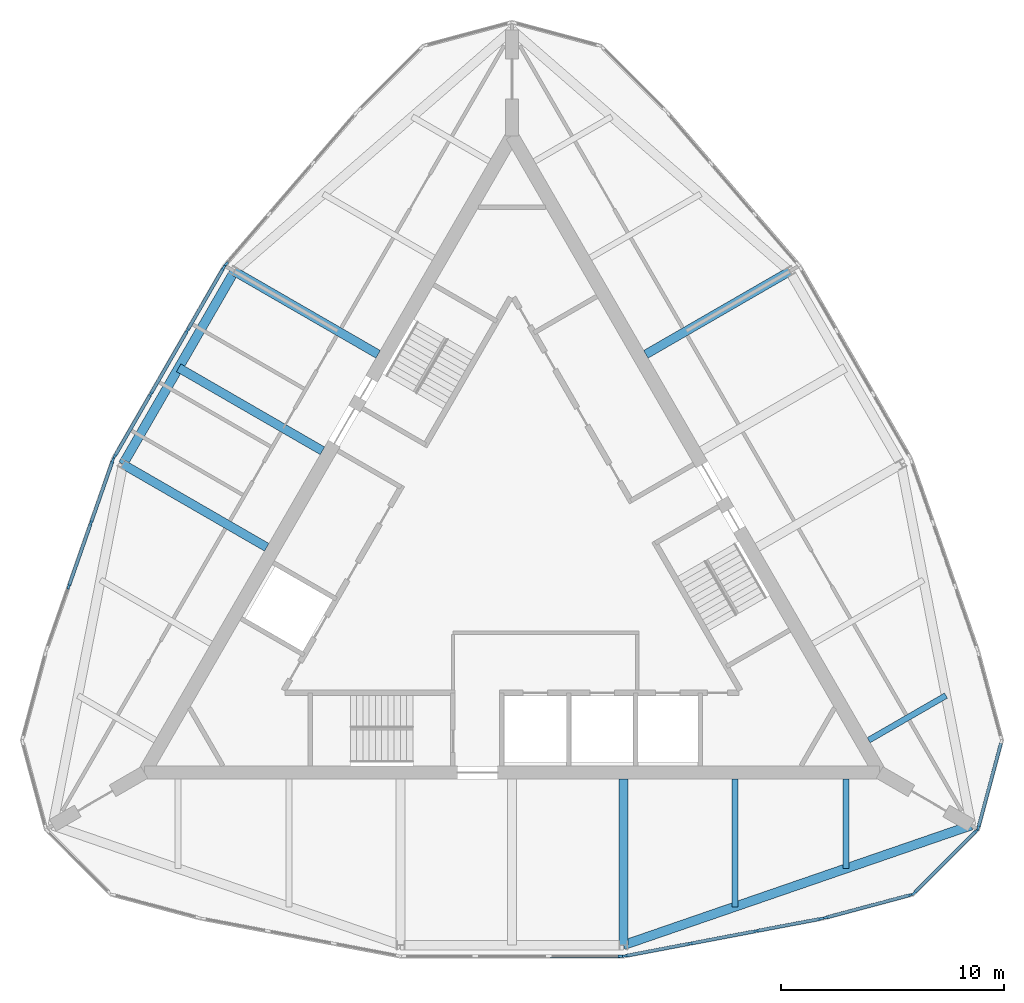
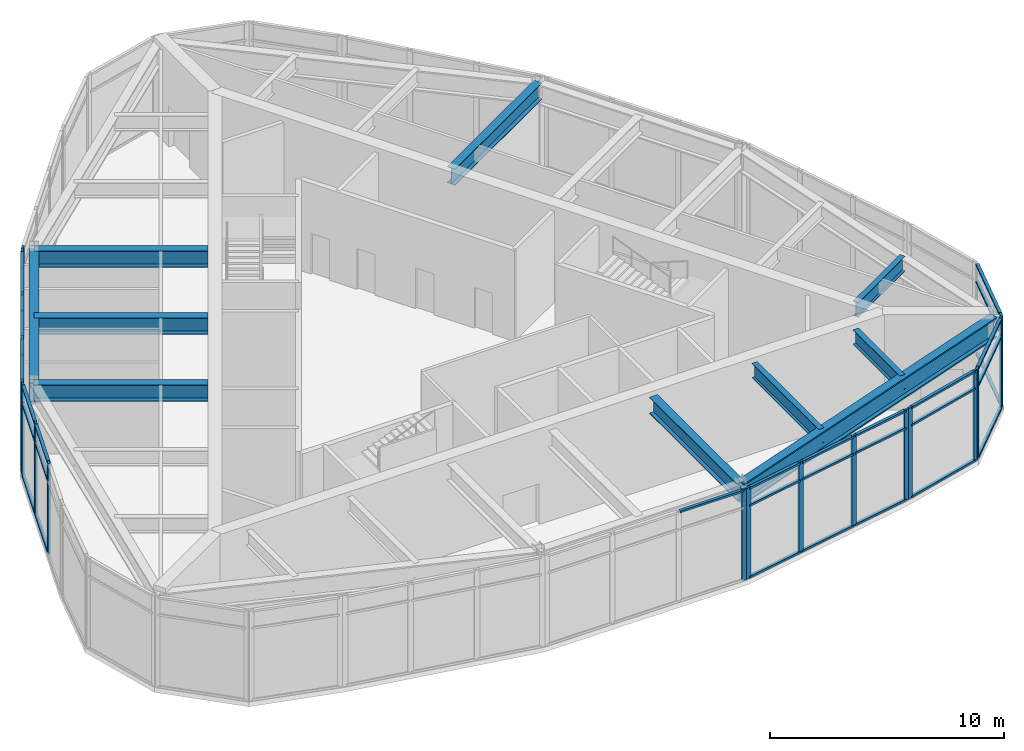
# One storey, part 2 of 9: 52 members, 10 beams, 8 elements without a shape of their own.
"""IFC4 building model written with IfcOpenShell, lengths in metres."""

from ifc_helpers import new_model, si_unit, direction, frame, origin, origin_2d, place, context, subcontext, project, spatial, rectangle, i_section, extrude, material, material_profile, profile_set, type_object, element, aggregate, save


model = new_model("IFC4")

# Units and contexts
model_context = context("Model", 3, precision=1e-05, world=origin(), true_north=direction((0.0, 1.0)))
body_context = subcontext(model_context, "Body", "Model", "MODEL_VIEW")
ifc_project = project(units=[si_unit("LENGTHUNIT", "METRE"), si_unit("AREAUNIT", "SQUARE_METRE"), si_unit("VOLUMEUNIT", "CUBIC_METRE"), si_unit("PLANEANGLEUNIT", "RADIAN"), si_unit("MASSUNIT", "GRAM", prefix="KILO")], contexts=[model_context])

# Site, building, storey
site_placement = place(None, origin())
site = spatial("IfcSite", under=ifc_project, at=site_placement, CompositionType="ELEMENT")
building_placement = place(site_placement, origin())
building = spatial("IfcBuilding", under=site, at=building_placement, Name="Trikona Tower", CompositionType="ELEMENT")
storey_placement = place(building_placement, frame((0.0, 0.0, 292.800048828125)))
storey = spatial("IfcBuildingStorey", under=building, at=storey_placement, Name="L76", CompositionType="ELEMENT", Elevation=292.800048828125)

# Curtain wall, member
ifc_material_1 = material(Name="Aluminium curtain wall system", Category="aluminium")
curtain_wall_type = type_object("IfcCurtainWallType", Name="Curtain wall OB", PredefinedType="NOTDEFINED", material=ifc_material_1)
curtain_wall_1_placement = place(storey_placement, origin())
curtain_wall_1 = element("IfcCurtainWall", 1, at=curtain_wall_1_placement, inside=storey, type_object=curtain_wall_type, Name="Curtain wall OB L76", PredefinedType="NOTDEFINED")
ifc_material_2 = material(Name="Aluminium mullion, pale anodised", Category="aluminium")
ifc_material_profile_1 = material_profile(ifc_material_2, rectangle(XDim=0.10009765625, YDim=0.25, at=origin_2d()), Name="MUL-OB")
ifc_profile_set_1 = profile_set([ifc_material_profile_1], Name="Aluminium mullion, pale anodised")
member_type_1 = type_object("IfcMemberType", Name="Mullion OB 100x250", PredefinedType="MULLION", material=ifc_profile_set_1)
member_1_placement = place(storey_placement, frame((4.889892578125, -17.77587890625, 0.0), z_axis=(0.0, 0.0, 1.0), x_axis=(0.0, 1.0, 0.0)))
member_1 = element("IfcMember", 2, at=member_1_placement, type_object=member_type_1, Name="CW-OB mullion 4", PredefinedType="MULLION", context=body_context, shape_type="SweptSolid", body=[
    extrude(rectangle(XDim=0.10009765625, YDim=0.25, at=origin_2d()), origin(), (0.0, 0.0, 1.0), 4.75),
])

# Curtain wall, members
curtain_wall_2_placement = place(storey_placement, origin())
curtain_wall_2 = element("IfcCurtainWall", 3, at=curtain_wall_2_placement, inside=storey, type_object=curtain_wall_type, Name="Curtain wall OB L76", PredefinedType="NOTDEFINED")
member_2_placement = place(storey_placement, frame((5.08935546875, -17.757080078125, 0.0), z_axis=(0.0, 0.0, 1.0), x_axis=(-0.186660752571, 0.982424431419, 0.0)))
member_2 = element("IfcMember", 4, at=member_2_placement, type_object=member_type_1, Name="CW-OB mullion 1", PredefinedType="MULLION", context=body_context, shape_type="SweptSolid", body=[
    extrude(rectangle(XDim=0.10009765625, YDim=0.25, at=origin_2d()), origin(), (0.0, 0.0, 1.0), 4.75),
])
member_3_placement = place(storey_placement, frame((8.0009765625, -17.203857421875, 0.0), z_axis=(0.0, 0.0, 1.0), x_axis=(-0.186660752571, 0.982424431419, 0.0)))
member_3 = element("IfcMember", 5, at=member_3_placement, type_object=member_type_1, Name="CW-OB mullion 2", PredefinedType="MULLION", context=body_context, shape_type="SweptSolid", body=[
    extrude(rectangle(XDim=0.10009765625, YDim=0.25, at=origin_2d()), origin(), (0.0, 0.0, 1.0), 4.75),
])
member_4_placement = place(storey_placement, frame((10.961669921875, -16.641357421875, 0.0), z_axis=(0.0, 0.0, 1.0), x_axis=(-0.186660752571, 0.982424431419, 0.0)))
member_4 = element("IfcMember", 6, at=member_4_placement, type_object=member_type_1, Name="CW-OB mullion 3", PredefinedType="MULLION", context=body_context, shape_type="SweptSolid", body=[
    extrude(rectangle(XDim=0.10009765625, YDim=0.25, at=origin_2d()), origin(), (0.0, 0.0, 1.0), 4.75),
])
member_5_placement = place(storey_placement, frame((13.873291015625, -16.088134765625, 0.0), z_axis=(0.0, 0.0, 1.0), x_axis=(-0.186660752571, 0.982424431419, 0.0)))
member_5 = element("IfcMember", 7, at=member_5_placement, type_object=member_type_1, Name="CW-OB mullion 4", PredefinedType="MULLION", context=body_context, shape_type="SweptSolid", body=[
    extrude(rectangle(XDim=0.10009765625, YDim=0.25, at=origin_2d()), origin(), (0.0, 0.0, 1.0), 4.75),
])

curtain_wall_3_placement = place(storey_placement, origin())
curtain_wall_3 = element("IfcCurtainWall", 8, at=curtain_wall_3_placement, inside=storey, type_object=curtain_wall_type, Name="Curtain wall OB L76", PredefinedType="NOTDEFINED")
member_6_placement = place(storey_placement, frame((14.080322265625, -16.040771484375, 0.0), z_axis=(0.0, 0.0, 1.0), x_axis=(-0.258827918204, 0.965923448705, 0.0)))
member_6 = element("IfcMember", 9, at=member_6_placement, type_object=member_type_1, Name="CW-OB mullion 1", PredefinedType="MULLION", context=body_context, shape_type="SweptSolid", body=[
    extrude(rectangle(XDim=0.10009765625, YDim=0.25, at=origin_2d()), origin(), (0.0, 0.0, 1.0), 4.75),
])
member_7_placement = place(storey_placement, frame((17.909423828125, -15.0146484375, 0.0), z_axis=(0.0, 0.0, 1.0), x_axis=(-0.258827918204, 0.965923448705, 0.0)))
member_7 = element("IfcMember", 10, at=member_7_placement, type_object=member_type_1, Name="CW-OB mullion 2", PredefinedType="MULLION", context=body_context, shape_type="SweptSolid", body=[
    extrude(rectangle(XDim=0.10009765625, YDim=0.25, at=origin_2d()), origin(), (0.0, 0.0, 1.0), 4.75),
])

curtain_wall_4_placement = place(storey_placement, origin())
curtain_wall_4 = element("IfcCurtainWall", 11, at=curtain_wall_4_placement, inside=storey, type_object=curtain_wall_type, Name="Curtain wall OB L76", PredefinedType="NOTDEFINED")
member_8_placement = place(storey_placement, frame((18.048583984375, -14.934326171875, 0.0), z_axis=(0.0, 0.0, 1.0), x_axis=(-0.707106781187, 0.707106781187, 0.0)))
member_8 = element("IfcMember", 12, at=member_8_placement, type_object=member_type_1, Name="CW-OB mullion 1", PredefinedType="MULLION", context=body_context, shape_type="SweptSolid", body=[
    extrude(rectangle(XDim=0.10009765625, YDim=0.25, at=origin_2d()), origin(), (0.0, 0.0, 1.0), 4.75),
])
member_9_placement = place(storey_placement, frame((20.8515625, -12.13134765625, 0.0), z_axis=(0.0, 0.0, 1.0), x_axis=(-0.707106781187, 0.707106781187, 0.0)))
member_9 = element("IfcMember", 13, at=member_9_placement, type_object=member_type_1, Name="CW-OB mullion 2", PredefinedType="MULLION", context=body_context, shape_type="SweptSolid", body=[
    extrude(rectangle(XDim=0.10009765625, YDim=0.25, at=origin_2d()), origin(), (0.0, 0.0, 1.0), 4.75),
])

# Curtain wall, member
curtain_wall_5_placement = place(storey_placement, origin())
curtain_wall_5 = element("IfcCurtainWall", 14, at=curtain_wall_5_placement, inside=storey, type_object=curtain_wall_type, Name="Curtain wall OB L76", PredefinedType="NOTDEFINED")
member_10_placement = place(storey_placement, frame((20.931884765625, -11.9921875, 0.0), z_axis=(0.0, 0.0, 1.0), x_axis=(-0.965923448705, 0.258827918204, 0.0)))
member_10 = element("IfcMember", 15, at=member_10_placement, type_object=member_type_1, Name="CW-OB mullion 1", PredefinedType="MULLION", context=body_context, shape_type="SweptSolid", body=[
    extrude(rectangle(XDim=0.10009765625, YDim=0.25, at=origin_2d()), origin(), (0.0, 0.0, 1.0), 4.75),
])

curtain_wall_6_placement = place(storey_placement, origin())
curtain_wall_6 = element("IfcCurtainWall", 16, at=curtain_wall_6_placement, inside=storey, type_object=curtain_wall_type, Name="Curtain wall OB L76", PredefinedType="NOTDEFINED")
member_11_placement = place(storey_placement, frame((-12.833251953125, 13.2861328125, 0.0), z_axis=(0.0, 0.0, 1.0), x_axis=(0.757475219973, -0.652863914707, 0.0)))
member_11 = element("IfcMember", 17, at=member_11_placement, type_object=member_type_1, Name="CW-OB mullion 4", PredefinedType="MULLION", context=body_context, shape_type="SweptSolid", body=[
    extrude(rectangle(XDim=0.10009765625, YDim=0.25, at=origin_2d()), origin(), (0.0, 0.0, 1.0), 4.75),
])
aggregate(curtain_wall_6, [member_11])

# Curtain wall, members
curtain_wall_7_placement = place(storey_placement, origin())
curtain_wall_7 = element("IfcCurtainWall", 18, at=curtain_wall_7_placement, inside=storey, type_object=curtain_wall_type, Name="Curtain wall OB L76", PredefinedType="NOTDEFINED")
member_12_placement = place(storey_placement, frame((-12.94921875, 13.122802734375, 0.0), z_axis=(0.0, 0.0, 1.0), x_axis=(0.866022089219, -0.500005740951, 0.0)))
member_12 = element("IfcMember", 19, at=member_12_placement, type_object=member_type_1, Name="CW-OB mullion 1", PredefinedType="MULLION", context=body_context, shape_type="SweptSolid", body=[
    extrude(rectangle(XDim=0.10009765625, YDim=0.25, at=origin_2d()), origin(), (0.0, 0.0, 1.0), 4.75),
])
member_13_placement = place(storey_placement, frame((-14.571044921875, 10.31396484375, 0.0), z_axis=(0.0, 0.0, 1.0), x_axis=(0.866022089219, -0.500005740951, 0.0)))
member_13 = element("IfcMember", 20, at=member_13_placement, type_object=member_type_1, Name="CW-OB mullion 2", PredefinedType="MULLION", context=body_context, shape_type="SweptSolid", body=[
    extrude(rectangle(XDim=0.10009765625, YDim=0.25, at=origin_2d()), origin(), (0.0, 0.0, 1.0), 4.75),
])
member_14_placement = place(storey_placement, frame((-16.217529296875, 7.4619140625, 0.0), z_axis=(0.0, 0.0, 1.0), x_axis=(0.866022089219, -0.500005740951, 0.0)))
member_14 = element("IfcMember", 21, at=member_14_placement, type_object=member_type_1, Name="CW-OB mullion 3", PredefinedType="MULLION", context=body_context, shape_type="SweptSolid", body=[
    extrude(rectangle(XDim=0.10009765625, YDim=0.25, at=origin_2d()), origin(), (0.0, 0.0, 1.0), 4.75),
])
member_15_placement = place(storey_placement, frame((-17.83935546875, 4.653076171875, 0.0), z_axis=(0.0, 0.0, 1.0), x_axis=(0.866022089219, -0.500005740951, 0.0)))
member_15 = element("IfcMember", 22, at=member_15_placement, type_object=member_type_1, Name="CW-OB mullion 4", PredefinedType="MULLION", context=body_context, shape_type="SweptSolid", body=[
    extrude(rectangle(XDim=0.10009765625, YDim=0.25, at=origin_2d()), origin(), (0.0, 0.0, 1.0), 4.75),
])

curtain_wall_8_placement = place(storey_placement, origin())
curtain_wall_8 = element("IfcCurtainWall", 23, at=curtain_wall_8_placement, inside=storey, type_object=curtain_wall_type, Name="Curtain wall OB L76", PredefinedType="NOTDEFINED")
member_16_placement = place(storey_placement, frame((-17.9228515625, 4.470947265625, 0.0), z_axis=(0.0, 0.0, 1.0), x_axis=(0.944137368145, -0.329552165935, 0.0)))
member_16 = element("IfcMember", 24, at=member_16_placement, type_object=member_type_1, Name="CW-OB mullion 1", PredefinedType="MULLION", context=body_context, shape_type="SweptSolid", body=[
    extrude(rectangle(XDim=0.10009765625, YDim=0.25, at=origin_2d()), origin(), (0.0, 0.0, 1.0), 4.75),
])
member_17_placement = place(storey_placement, frame((-18.8994140625, 1.6728515625, 0.0), z_axis=(0.0, 0.0, 1.0), x_axis=(0.944137368145, -0.329552165935, 0.0)))
member_17 = element("IfcMember", 25, at=member_17_placement, type_object=member_type_1, Name="CW-OB mullion 2", PredefinedType="MULLION", context=body_context, shape_type="SweptSolid", body=[
    extrude(rectangle(XDim=0.10009765625, YDim=0.25, at=origin_2d()), origin(), (0.0, 0.0, 1.0), 4.75),
])
member_18_placement = place(storey_placement, frame((-19.892578125, -1.17236328125, 0.0), z_axis=(0.0, 0.0, 1.0), x_axis=(0.944137368145, -0.329552165935, 0.0)))
member_18 = element("IfcMember", 26, at=member_18_placement, type_object=member_type_1, Name="CW-OB mullion 3", PredefinedType="MULLION", context=body_context, shape_type="SweptSolid", body=[
    extrude(rectangle(XDim=0.10009765625, YDim=0.25, at=origin_2d()), origin(), (0.0, 0.0, 1.0), 4.75),
])

# Beams
ifc_material_3 = material(Name="Steel ASTM A992 Grade 50", Category="steel")
ifc_material_profile_2 = material_profile(ifc_material_3, i_section(OverallWidth=0.2666015625, OverallDepth=0.76953125, WebThickness=0.015625, FlangeThickness=0.025390625, at=origin_2d()), Name="W30X132")
ifc_profile_set_2 = profile_set([ifc_material_profile_2], Name="Steel ASTM A992 Grade 50")
beam_type_1 = type_object("IfcBeamType", Name="Steel beam W30x132 (wedge)", PredefinedType="BEAM", material=ifc_profile_set_2)
beam_1_placement = place(storey_placement, frame((10.0, -9.826416015625, 4.365234375), z_axis=(0.0, -1.0, 0.0), x_axis=(1.0, 0.0, 0.0)))
element("IfcBeam", 27, at=beam_1_placement, inside=storey, type_object=beam_type_1, Name="Floor beam L77 F1 u10", PredefinedType="BEAM", context=body_context, shape_type="SweptSolid", body=[
    extrude(i_section(OverallWidth=0.2666015625, OverallDepth=0.76953125, WebThickness=0.015625, FlangeThickness=0.025390625, at=origin_2d()), origin(), (0.0, 0.0, 1.0), 5.727294921875),
])
beam_2_placement = place(storey_placement, frame((15.0, -9.826416015625, 4.365234375), z_axis=(0.0, -1.0, 0.0), x_axis=(1.0, 0.0, 0.0)))
element("IfcBeam", 28, at=beam_2_placement, inside=storey, type_object=beam_type_1, Name="Floor beam L77 F1 u15", PredefinedType="BEAM", context=body_context, shape_type="SweptSolid", body=[
    extrude(i_section(OverallWidth=0.2666015625, OverallDepth=0.76953125, WebThickness=0.015625, FlangeThickness=0.025390625, at=origin_2d()), origin(), (0.0, 0.0, 1.0), 4.005126953125),
])
beam_3_placement = place(storey_placement, frame((16.009765625, -8.077392578125, 4.365234375), z_axis=(0.866025209122, 0.500000337164, 0.0), x_axis=(-0.500000337164, 0.866025209122, 0.0)))
element("IfcBeam", 29, at=beam_3_placement, inside=storey, type_object=beam_type_1, Name="Floor beam L77 F2 u-15", PredefinedType="BEAM", context=body_context, shape_type="SweptSolid", body=[
    extrude(i_section(OverallWidth=0.2666015625, OverallDepth=0.76953125, WebThickness=0.015625, FlangeThickness=0.025390625, at=origin_2d()), origin(), (0.0, 0.0, 1.0), 4.00537109375),
])
ifc_material_4 = material(Name="Steel ASTM A992 Grade 50", Category="steel")
ifc_material_profile_3 = material_profile(ifc_material_4, i_section(OverallWidth=0.398681640625, OverallDepth=0.85595703125, WebThickness=0.01806640625, FlangeThickness=0.029296875, at=origin_2d()), Name="W33X201")
ifc_profile_set_3 = profile_set([ifc_material_profile_3], Name="Steel ASTM A992 Grade 50")
beam_type_2 = type_object("IfcBeamType", Name="Steel beam W33x201 (top)", PredefinedType="BEAM", material=ifc_profile_set_3)
for number, where, z_axis, x_axis, name in (
    (30, (5.0, -9.826416015625, 4.322021484375), (0.0, -1.0, 0.0), (1.0, 0.0, 0.0), "Floor beam L77 F1 u5"),
    (31, (6.009765625, 9.243408203125, 4.322021484375), (0.866032227741, 0.499988180375, 0.0), (-0.499988180375, 0.866032227741, 0.0), "Floor beam L77 F2 u5"),
    (32, (-6.009765625, 9.243408203125, 4.322021484375), (-0.866032227741, 0.499988180375, 0.0), (-0.499988180375, -0.866032227741, 0.0), "Floor beam L77 F3 u-5"),
    (33, (-8.509765625, 4.9130859375, 4.322021484375), (-0.866018036629, 0.50001276007, 0.0), (-0.50001276007, -0.866018036629, 0.0), "Floor beam L77 F3 u0"),
    (34, (-11.009765625, 0.5830078125, 4.322021484375), (-0.866018036629, 0.50001276007, 0.0), (-0.50001276007, -0.866018036629, 0.0), "Floor beam L77 F3 u5"),
):
    element("IfcBeam", number, at=place(storey_placement, frame(where, z_axis=z_axis, x_axis=x_axis)), inside=storey, type_object=beam_type_2, Name=name, PredefinedType="BEAM", context=body_context, shape_type="SweptSolid", body=[
        extrude(i_section(OverallWidth=0.398681640625, OverallDepth=0.85595703125, WebThickness=0.01806640625, FlangeThickness=0.029296875, at=origin_2d()), origin(), (0.0, 0.0, 1.0), 7.449462890625),
    ])
ifc_material_5 = material(Name="Steel ASTM A992 Grade 50", Category="steel")
ifc_material_profile_4 = material_profile(ifc_material_5, i_section(OverallWidth=0.41650390625, OverallDepth=1.0693359375, WebThickness=0.0390625, FlangeThickness=0.070068359375, at=origin_2d()), Name="W40X503")
ifc_profile_set_4 = profile_set([ifc_material_profile_4], Name="Steel ASTM A992 Grade 50")
beam_type_3 = type_object("IfcBeamType", Name="Steel beam W40x503 (crown spandrel)", PredefinedType="SPANDREL", material=ifc_profile_set_4)
beam_4_placement = place(storey_placement, frame((5.0, -17.27587890625, 4.21533203125), z_axis=(0.945492661054, 0.325643406033, 0.0), x_axis=(-0.325643406033, 0.945492661054, 0.0)))
element("IfcBeam", 35, at=beam_4_placement, inside=storey, type_object=beam_type_3, Name="Spandrel beam L77 F1-3", PredefinedType="SPANDREL", context=body_context, shape_type="SweptSolid", body=[
    extrude(i_section(OverallWidth=0.41650390625, OverallDepth=1.0693359375, WebThickness=0.0390625, FlangeThickness=0.070068359375, at=origin_2d()), origin(), (0.0, 0.0, 1.0), 16.51025390625),
])
beam_5_placement = place(storey_placement, frame((-12.461181640625, 12.968017578125, 4.21533203125), z_axis=(-0.500004234368, -0.866022959057, 0.0), x_axis=(0.866022959057, -0.500004234368, 0.0)))
element("IfcBeam", 36, at=beam_5_placement, inside=storey, type_object=beam_type_3, Name="Spandrel beam L77 F3-2", PredefinedType="SPANDREL", context=body_context, shape_type="SweptSolid", body=[
    extrude(i_section(OverallWidth=0.41650390625, OverallDepth=1.0693359375, WebThickness=0.0390625, FlangeThickness=0.070068359375, at=origin_2d()), origin(), (0.0, 0.0, 1.0), 10.0),
])

# Member
ifc_material_6 = material(Name="Aluminium transom, pale anodised", Category="aluminium")
ifc_material_profile_5 = material_profile(ifc_material_6, rectangle(XDim=0.14990234375, YDim=0.10009765625, at=origin_2d()), Name="TRN-OB")
ifc_profile_set_5 = profile_set([ifc_material_profile_5], Name="Aluminium transom, pale anodised")
member_type_2 = type_object("IfcMemberType", Name="Transom OB 100x150", PredefinedType="USERDEFINED", material=ifc_profile_set_5)
member_19_placement = place(storey_placement, frame((1.69677734375, -17.77587890625, 4.699951171875), z_axis=(1.0, 0.0, 0.0), x_axis=(0.0, 1.0, 0.0)))
member_19 = element("IfcMember", 37, at=member_19_placement, type_object=member_type_2, Name="CW-OB transom 3.3", ObjectType="TRANSOM", PredefinedType="USERDEFINED", context=body_context, shape_type="SweptSolid", body=[
    extrude(rectangle(XDim=0.14990234375, YDim=0.10009765625, at=origin_2d()), origin(), (0.0, 0.0, 1.0), 3.143310546875),
])

aggregate(curtain_wall_1, [member_1, member_19])

member_20_placement = place(storey_placement, frame((5.138427734375, -17.747802734375, 0.050048828125), z_axis=(0.982417572475, 0.186696848639, 0.0), x_axis=(-0.186696848639, 0.982417572475, 0.0)))
member_20 = element("IfcMember", 38, at=member_20_placement, type_object=member_type_2, Name="CW-OB transom 1.1", ObjectType="TRANSOM", PredefinedType="USERDEFINED", context=body_context, shape_type="SweptSolid", body=[
    extrude(rectangle(XDim=0.14990234375, YDim=0.10009765625, at=origin_2d()), origin(), (0.0, 0.0, 1.0), 2.86376953125),
])

member_21_placement = place(storey_placement, frame((5.138427734375, -17.747802734375, 3.800048828125), z_axis=(0.982417572475, 0.186696848639, 0.0), x_axis=(-0.186696848639, 0.982417572475, 0.0)))
member_21 = element("IfcMember", 39, at=member_21_placement, type_object=member_type_2, Name="CW-OB transom 1.2", ObjectType="TRANSOM", PredefinedType="USERDEFINED", context=body_context, shape_type="SweptSolid", body=[
    extrude(rectangle(XDim=0.14990234375, YDim=0.10009765625, at=origin_2d()), origin(), (0.0, 0.0, 1.0), 2.86376953125),
])

member_22_placement = place(storey_placement, frame((5.138427734375, -17.747802734375, 4.699951171875), z_axis=(0.982417572475, 0.186696848639, 0.0), x_axis=(-0.186696848639, 0.982417572475, 0.0)))
member_22 = element("IfcMember", 40, at=member_22_placement, type_object=member_type_2, Name="CW-OB transom 1.3", ObjectType="TRANSOM", PredefinedType="USERDEFINED", context=body_context, shape_type="SweptSolid", body=[
    extrude(rectangle(XDim=0.14990234375, YDim=0.10009765625, at=origin_2d()), origin(), (0.0, 0.0, 1.0), 2.86376953125),
])

member_23_placement = place(storey_placement, frame((8.050048828125, -17.194580078125, 0.050048828125), z_axis=(0.982420610208, 0.186680863074, 0.0), x_axis=(-0.186680863074, 0.982420610208, 0.0)))
member_23 = element("IfcMember", 41, at=member_23_placement, type_object=member_type_2, Name="CW-OB transom 2.1", ObjectType="TRANSOM", PredefinedType="USERDEFINED", context=body_context, shape_type="SweptSolid", body=[
    extrude(rectangle(XDim=0.14990234375, YDim=0.10009765625, at=origin_2d()), origin(), (0.0, 0.0, 1.0), 2.913818359375),
])

member_24_placement = place(storey_placement, frame((8.050048828125, -17.194580078125, 3.800048828125), z_axis=(0.982420610208, 0.186680863074, 0.0), x_axis=(-0.186680863074, 0.982420610208, 0.0)))
member_24 = element("IfcMember", 42, at=member_24_placement, type_object=member_type_2, Name="CW-OB transom 2.2", ObjectType="TRANSOM", PredefinedType="USERDEFINED", context=body_context, shape_type="SweptSolid", body=[
    extrude(rectangle(XDim=0.14990234375, YDim=0.10009765625, at=origin_2d()), origin(), (0.0, 0.0, 1.0), 2.913818359375),
])

member_25_placement = place(storey_placement, frame((8.050048828125, -17.194580078125, 4.699951171875), z_axis=(0.982420610208, 0.186680863074, 0.0), x_axis=(-0.186680863074, 0.982420610208, 0.0)))
member_25 = element("IfcMember", 43, at=member_25_placement, type_object=member_type_2, Name="CW-OB transom 2.3", ObjectType="TRANSOM", PredefinedType="USERDEFINED", context=body_context, shape_type="SweptSolid", body=[
    extrude(rectangle(XDim=0.14990234375, YDim=0.10009765625, at=origin_2d()), origin(), (0.0, 0.0, 1.0), 2.913818359375),
])

member_26_placement = place(storey_placement, frame((11.0107421875, -16.632080078125, 0.050048828125), z_axis=(0.982417572475, 0.186696848639, 0.0), x_axis=(-0.186696848639, 0.982417572475, 0.0)))
member_26 = element("IfcMember", 44, at=member_26_placement, type_object=member_type_2, Name="CW-OB transom 3.1", ObjectType="TRANSOM", PredefinedType="USERDEFINED", context=body_context, shape_type="SweptSolid", body=[
    extrude(rectangle(XDim=0.14990234375, YDim=0.10009765625, at=origin_2d()), origin(), (0.0, 0.0, 1.0), 2.86376953125),
])

member_27_placement = place(storey_placement, frame((11.0107421875, -16.632080078125, 3.800048828125), z_axis=(0.982417572475, 0.186696848639, 0.0), x_axis=(-0.186696848639, 0.982417572475, 0.0)))
member_27 = element("IfcMember", 45, at=member_27_placement, type_object=member_type_2, Name="CW-OB transom 3.2", ObjectType="TRANSOM", PredefinedType="USERDEFINED", context=body_context, shape_type="SweptSolid", body=[
    extrude(rectangle(XDim=0.14990234375, YDim=0.10009765625, at=origin_2d()), origin(), (0.0, 0.0, 1.0), 2.86376953125),
])

member_28_placement = place(storey_placement, frame((11.0107421875, -16.632080078125, 4.699951171875), z_axis=(0.982417572475, 0.186696848639, 0.0), x_axis=(-0.186696848639, 0.982417572475, 0.0)))
member_28 = element("IfcMember", 46, at=member_28_placement, type_object=member_type_2, Name="CW-OB transom 3.3", ObjectType="TRANSOM", PredefinedType="USERDEFINED", context=body_context, shape_type="SweptSolid", body=[
    extrude(rectangle(XDim=0.14990234375, YDim=0.10009765625, at=origin_2d()), origin(), (0.0, 0.0, 1.0), 2.86376953125),
])

aggregate(curtain_wall_2, [member_2, member_3, member_4, member_5, member_20, member_21, member_22, member_23, member_24, member_25, member_26, member_27, member_28])

member_29_placement = place(storey_placement, frame((14.128662109375, -16.02783203125, 0.050048828125), z_axis=(0.965916463032, 0.258853986724, 0.0), x_axis=(-0.258853986724, 0.965916463032, 0.0)))
member_29 = element("IfcMember", 47, at=member_29_placement, type_object=member_type_2, Name="CW-OB transom 1.1", ObjectType="TRANSOM", PredefinedType="USERDEFINED", context=body_context, shape_type="SweptSolid", body=[
    extrude(rectangle(XDim=0.14990234375, YDim=0.10009765625, at=origin_2d()), origin(), (0.0, 0.0, 1.0), 3.864013671875),
])

member_30_placement = place(storey_placement, frame((14.128662109375, -16.02783203125, 3.800048828125), z_axis=(0.965916463032, 0.258853986724, 0.0), x_axis=(-0.258853986724, 0.965916463032, 0.0)))
member_30 = element("IfcMember", 48, at=member_30_placement, type_object=member_type_2, Name="CW-OB transom 1.2", ObjectType="TRANSOM", PredefinedType="USERDEFINED", context=body_context, shape_type="SweptSolid", body=[
    extrude(rectangle(XDim=0.14990234375, YDim=0.10009765625, at=origin_2d()), origin(), (0.0, 0.0, 1.0), 3.864013671875),
])

member_31_placement = place(storey_placement, frame((14.128662109375, -16.02783203125, 4.699951171875), z_axis=(0.965916463032, 0.258853986724, 0.0), x_axis=(-0.258853986724, 0.965916463032, 0.0)))
member_31 = element("IfcMember", 49, at=member_31_placement, type_object=member_type_2, Name="CW-OB transom 1.3", ObjectType="TRANSOM", PredefinedType="USERDEFINED", context=body_context, shape_type="SweptSolid", body=[
    extrude(rectangle(XDim=0.14990234375, YDim=0.10009765625, at=origin_2d()), origin(), (0.0, 0.0, 1.0), 3.864013671875),
])

aggregate(curtain_wall_3, [member_6, member_7, member_29, member_30, member_31])

member_32_placement = place(storey_placement, frame((18.083984375, -14.899169921875, 0.050048828125), z_axis=(0.707075189238, 0.707138371723, 0.0), x_axis=(-0.707138371723, 0.707075189238, 0.0)))
member_32 = element("IfcMember", 50, at=member_32_placement, type_object=member_type_2, Name="CW-OB transom 1.1", ObjectType="TRANSOM", PredefinedType="USERDEFINED", context=body_context, shape_type="SweptSolid", body=[
    extrude(rectangle(XDim=0.14990234375, YDim=0.10009765625, at=origin_2d()), origin(), (0.0, 0.0, 1.0), 3.864013671875),
])

member_33_placement = place(storey_placement, frame((18.083984375, -14.899169921875, 3.800048828125), z_axis=(0.707075189238, 0.707138371723, 0.0), x_axis=(-0.707138371723, 0.707075189238, 0.0)))
member_33 = element("IfcMember", 51, at=member_33_placement, type_object=member_type_2, Name="CW-OB transom 1.2", ObjectType="TRANSOM", PredefinedType="USERDEFINED", context=body_context, shape_type="SweptSolid", body=[
    extrude(rectangle(XDim=0.14990234375, YDim=0.10009765625, at=origin_2d()), origin(), (0.0, 0.0, 1.0), 3.864013671875),
])

member_34_placement = place(storey_placement, frame((18.083984375, -14.899169921875, 4.699951171875), z_axis=(0.707075189238, 0.707138371723, 0.0), x_axis=(-0.707138371723, 0.707075189238, 0.0)))
member_34 = element("IfcMember", 52, at=member_34_placement, type_object=member_type_2, Name="CW-OB transom 1.3", ObjectType="TRANSOM", PredefinedType="USERDEFINED", context=body_context, shape_type="SweptSolid", body=[
    extrude(rectangle(XDim=0.14990234375, YDim=0.10009765625, at=origin_2d()), origin(), (0.0, 0.0, 1.0), 3.864013671875),
])

aggregate(curtain_wall_4, [member_8, member_9, member_32, member_33, member_34])

member_35_placement = place(storey_placement, frame((20.94482421875, -11.944091796875, 0.050048828125), z_axis=(0.25879503742, 0.965932258808, 0.0), x_axis=(-0.965932258808, 0.25879503742, 0.0)))
member_35 = element("IfcMember", 53, at=member_35_placement, type_object=member_type_2, Name="CW-OB transom 1.1", ObjectType="TRANSOM", PredefinedType="USERDEFINED", context=body_context, shape_type="SweptSolid", body=[
    extrude(rectangle(XDim=0.14990234375, YDim=0.10009765625, at=origin_2d()), origin(), (0.0, 0.0, 1.0), 3.864013671875),
])

member_36_placement = place(storey_placement, frame((20.94482421875, -11.944091796875, 3.800048828125), z_axis=(0.25879503742, 0.965932258808, 0.0), x_axis=(-0.965932258808, 0.25879503742, 0.0)))
member_36 = element("IfcMember", 54, at=member_36_placement, type_object=member_type_2, Name="CW-OB transom 1.2", ObjectType="TRANSOM", PredefinedType="USERDEFINED", context=body_context, shape_type="SweptSolid", body=[
    extrude(rectangle(XDim=0.14990234375, YDim=0.10009765625, at=origin_2d()), origin(), (0.0, 0.0, 1.0), 3.864013671875),
])

member_37_placement = place(storey_placement, frame((20.94482421875, -11.944091796875, 4.699951171875), z_axis=(0.25879503742, 0.965932258808, 0.0), x_axis=(-0.965932258808, 0.25879503742, 0.0)))
member_37 = element("IfcMember", 55, at=member_37_placement, type_object=member_type_2, Name="CW-OB transom 1.3", ObjectType="TRANSOM", PredefinedType="USERDEFINED", context=body_context, shape_type="SweptSolid", body=[
    extrude(rectangle(XDim=0.14990234375, YDim=0.10009765625, at=origin_2d()), origin(), (0.0, 0.0, 1.0), 3.864013671875),
])

aggregate(curtain_wall_5, [member_10, member_35, member_36, member_37])

member_38_placement = place(storey_placement, frame((-12.974365234375, 13.079345703125, 0.050048828125), z_axis=(-0.499973465047, -0.866040723205, 0.0), x_axis=(0.866040723205, -0.499973465047, 0.0)))
member_38 = element("IfcMember", 56, at=member_38_placement, type_object=member_type_2, Name="CW-OB transom 1.1", ObjectType="TRANSOM", PredefinedType="USERDEFINED", context=body_context, shape_type="SweptSolid", body=[
    extrude(rectangle(XDim=0.14990234375, YDim=0.10009765625, at=origin_2d()), origin(), (0.0, 0.0, 1.0), 3.143310546875),
])

member_39_placement = place(storey_placement, frame((-12.974365234375, 13.079345703125, 3.800048828125), z_axis=(-0.499973465047, -0.866040723205, 0.0), x_axis=(0.866040723205, -0.499973465047, 0.0)))
member_39 = element("IfcMember", 57, at=member_39_placement, type_object=member_type_2, Name="CW-OB transom 1.2", ObjectType="TRANSOM", PredefinedType="USERDEFINED", context=body_context, shape_type="SweptSolid", body=[
    extrude(rectangle(XDim=0.14990234375, YDim=0.10009765625, at=origin_2d()), origin(), (0.0, 0.0, 1.0), 3.143310546875),
])

member_40_placement = place(storey_placement, frame((-12.974365234375, 13.079345703125, 4.699951171875), z_axis=(-0.499973465047, -0.866040723205, 0.0), x_axis=(0.866040723205, -0.499973465047, 0.0)))
member_40 = element("IfcMember", 58, at=member_40_placement, type_object=member_type_2, Name="CW-OB transom 1.3", ObjectType="TRANSOM", PredefinedType="USERDEFINED", context=body_context, shape_type="SweptSolid", body=[
    extrude(rectangle(XDim=0.14990234375, YDim=0.10009765625, at=origin_2d()), origin(), (0.0, 0.0, 1.0), 3.143310546875),
])

member_41_placement = place(storey_placement, frame((-14.595947265625, 10.270751953125, 0.050048828125), z_axis=(-0.499987164874, -0.866032814021, 0.0), x_axis=(0.866032814021, -0.499987164874, 0.0)))
member_41 = element("IfcMember", 59, at=member_41_placement, type_object=member_type_2, Name="CW-OB transom 2.1", ObjectType="TRANSOM", PredefinedType="USERDEFINED", context=body_context, shape_type="SweptSolid", body=[
    extrude(rectangle(XDim=0.14990234375, YDim=0.10009765625, at=origin_2d()), origin(), (0.0, 0.0, 1.0), 3.193359375),
])

member_42_placement = place(storey_placement, frame((-14.595947265625, 10.270751953125, 3.800048828125), z_axis=(-0.499987164874, -0.866032814021, 0.0), x_axis=(0.866032814021, -0.499987164874, 0.0)))
member_42 = element("IfcMember", 60, at=member_42_placement, type_object=member_type_2, Name="CW-OB transom 2.2", ObjectType="TRANSOM", PredefinedType="USERDEFINED", context=body_context, shape_type="SweptSolid", body=[
    extrude(rectangle(XDim=0.14990234375, YDim=0.10009765625, at=origin_2d()), origin(), (0.0, 0.0, 1.0), 3.193359375),
])

member_43_placement = place(storey_placement, frame((-14.595947265625, 10.270751953125, 4.699951171875), z_axis=(-0.499987164874, -0.866032814021, 0.0), x_axis=(0.866032814021, -0.499987164874, 0.0)))
member_43 = element("IfcMember", 61, at=member_43_placement, type_object=member_type_2, Name="CW-OB transom 2.3", ObjectType="TRANSOM", PredefinedType="USERDEFINED", context=body_context, shape_type="SweptSolid", body=[
    extrude(rectangle(XDim=0.14990234375, YDim=0.10009765625, at=origin_2d()), origin(), (0.0, 0.0, 1.0), 3.193359375),
])

member_44_placement = place(storey_placement, frame((-16.24267578125, 7.41845703125, 0.050048828125), z_axis=(-0.499973465047, -0.866040723205, 0.0), x_axis=(0.866040723205, -0.499973465047, 0.0)))
member_44 = element("IfcMember", 62, at=member_44_placement, type_object=member_type_2, Name="CW-OB transom 3.1", ObjectType="TRANSOM", PredefinedType="USERDEFINED", context=body_context, shape_type="SweptSolid", body=[
    extrude(rectangle(XDim=0.14990234375, YDim=0.10009765625, at=origin_2d()), origin(), (0.0, 0.0, 1.0), 3.143310546875),
])

member_45_placement = place(storey_placement, frame((-16.24267578125, 7.41845703125, 3.800048828125), z_axis=(-0.499973465047, -0.866040723205, 0.0), x_axis=(0.866040723205, -0.499973465047, 0.0)))
member_45 = element("IfcMember", 63, at=member_45_placement, type_object=member_type_2, Name="CW-OB transom 3.2", ObjectType="TRANSOM", PredefinedType="USERDEFINED", context=body_context, shape_type="SweptSolid", body=[
    extrude(rectangle(XDim=0.14990234375, YDim=0.10009765625, at=origin_2d()), origin(), (0.0, 0.0, 1.0), 3.143310546875),
])

member_46_placement = place(storey_placement, frame((-16.24267578125, 7.41845703125, 4.699951171875), z_axis=(-0.499973465047, -0.866040723205, 0.0), x_axis=(0.866040723205, -0.499973465047, 0.0)))
member_46 = element("IfcMember", 64, at=member_46_placement, type_object=member_type_2, Name="CW-OB transom 3.3", ObjectType="TRANSOM", PredefinedType="USERDEFINED", context=body_context, shape_type="SweptSolid", body=[
    extrude(rectangle(XDim=0.14990234375, YDim=0.10009765625, at=origin_2d()), origin(), (0.0, 0.0, 1.0), 3.143310546875),
])

aggregate(curtain_wall_7, [member_12, member_13, member_14, member_15, member_38, member_39, member_40, member_41, member_42, member_43, member_44, member_45, member_46])

member_47_placement = place(storey_placement, frame((-17.939208984375, 4.423828125, 0.050048828125), z_axis=(-0.329571871193, -0.944130489773, 0.0), x_axis=(0.944130489773, -0.329571871193, 0.0)))
member_47 = element("IfcMember", 65, at=member_47_placement, type_object=member_type_2, Name="CW-OB transom 1.1", ObjectType="TRANSOM", PredefinedType="USERDEFINED", context=body_context, shape_type="SweptSolid", body=[
    extrude(rectangle(XDim=0.14990234375, YDim=0.10009765625, at=origin_2d()), origin(), (0.0, 0.0, 1.0), 2.86376953125),
])

member_48_placement = place(storey_placement, frame((-17.939208984375, 4.423828125, 3.800048828125), z_axis=(-0.329571871193, -0.944130489773, 0.0), x_axis=(0.944130489773, -0.329571871193, 0.0)))
member_48 = element("IfcMember", 66, at=member_48_placement, type_object=member_type_2, Name="CW-OB transom 1.2", ObjectType="TRANSOM", PredefinedType="USERDEFINED", context=body_context, shape_type="SweptSolid", body=[
    extrude(rectangle(XDim=0.14990234375, YDim=0.10009765625, at=origin_2d()), origin(), (0.0, 0.0, 1.0), 2.86376953125),
])

member_49_placement = place(storey_placement, frame((-17.939208984375, 4.423828125, 4.699951171875), z_axis=(-0.329571871193, -0.944130489773, 0.0), x_axis=(0.944130489773, -0.329571871193, 0.0)))
member_49 = element("IfcMember", 67, at=member_49_placement, type_object=member_type_2, Name="CW-OB transom 1.3", ObjectType="TRANSOM", PredefinedType="USERDEFINED", context=body_context, shape_type="SweptSolid", body=[
    extrude(rectangle(XDim=0.14990234375, YDim=0.10009765625, at=origin_2d()), origin(), (0.0, 0.0, 1.0), 2.86376953125),
])

member_50_placement = place(storey_placement, frame((-18.916015625, 1.625732421875, 0.050048828125), z_axis=(-0.329544133465, -0.944140171849, 0.0), x_axis=(0.944140171849, -0.329544133465, 0.0)))
member_50 = element("IfcMember", 68, at=member_50_placement, type_object=member_type_2, Name="CW-OB transom 2.1", ObjectType="TRANSOM", PredefinedType="USERDEFINED", context=body_context, shape_type="SweptSolid", body=[
    extrude(rectangle(XDim=0.14990234375, YDim=0.10009765625, at=origin_2d()), origin(), (0.0, 0.0, 1.0), 2.913818359375),
])

member_51_placement = place(storey_placement, frame((-18.916015625, 1.625732421875, 3.800048828125), z_axis=(-0.329544133465, -0.944140171849, 0.0), x_axis=(0.944140171849, -0.329544133465, 0.0)))
member_51 = element("IfcMember", 69, at=member_51_placement, type_object=member_type_2, Name="CW-OB transom 2.2", ObjectType="TRANSOM", PredefinedType="USERDEFINED", context=body_context, shape_type="SweptSolid", body=[
    extrude(rectangle(XDim=0.14990234375, YDim=0.10009765625, at=origin_2d()), origin(), (0.0, 0.0, 1.0), 2.913818359375),
])

member_52_placement = place(storey_placement, frame((-18.916015625, 1.625732421875, 4.699951171875), z_axis=(-0.329544133465, -0.944140171849, 0.0), x_axis=(0.944140171849, -0.329544133465, 0.0)))
member_52 = element("IfcMember", 70, at=member_52_placement, type_object=member_type_2, Name="CW-OB transom 2.3", ObjectType="TRANSOM", PredefinedType="USERDEFINED", context=body_context, shape_type="SweptSolid", body=[
    extrude(rectangle(XDim=0.14990234375, YDim=0.10009765625, at=origin_2d()), origin(), (0.0, 0.0, 1.0), 2.913818359375),
])

aggregate(curtain_wall_8, [member_16, member_17, member_18, member_47, member_48, member_49, member_50, member_51, member_52])

save(model, "model.ifc")
